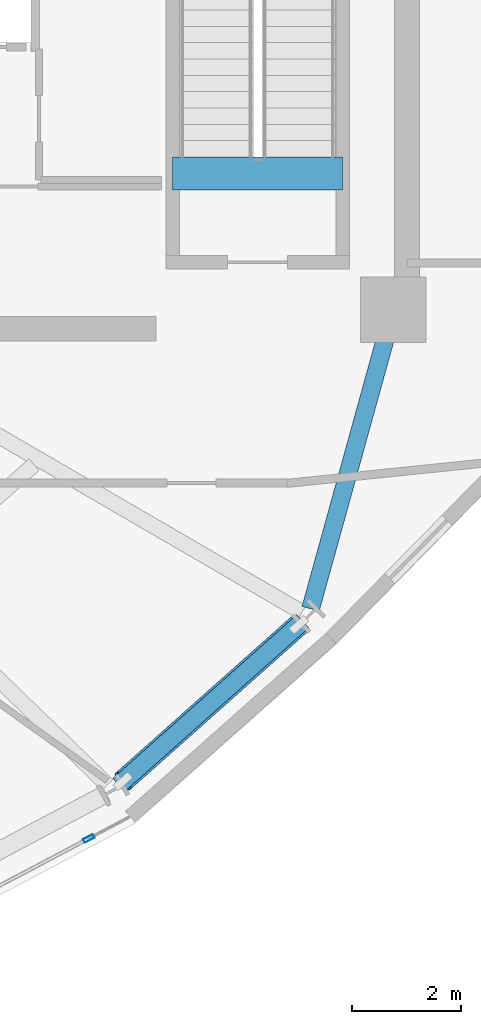
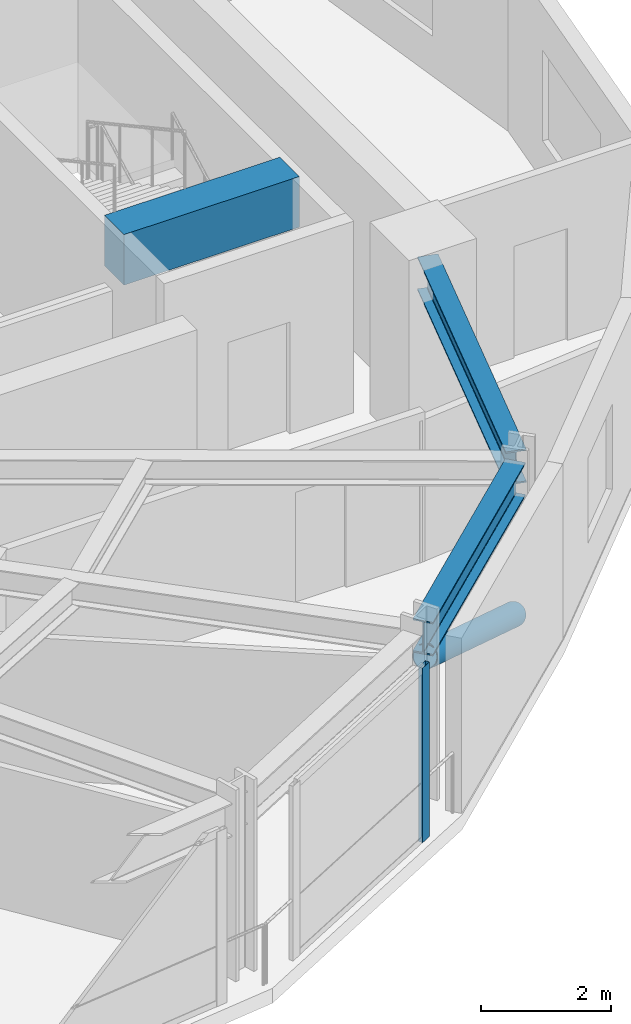
# One storey, part 6 of 19: 3 beams, 2 members, 1 element without a shape of its own.
"""IFC4 building model written with IfcOpenShell, lengths in metres."""

from ifc_helpers import new_model, si_unit, direction, frame, origin, origin_2d, place, context, subcontext, project, spatial, rectangle, hollow_rectangle, hollow_circle, i_section, extrude, material, layer, layer_set, material_profile, profile_set, type_object, element, aggregate, save


model = new_model("IFC4")

# Units and contexts
model_context = context("Model", 3, precision=1e-05, world=origin(), true_north=direction((0.0, 1.0)))
body_context = subcontext(model_context, "Body", "Model", "MODEL_VIEW")
ifc_project = project(units=[si_unit("LENGTHUNIT", "METRE"), si_unit("AREAUNIT", "SQUARE_METRE"), si_unit("VOLUMEUNIT", "CUBIC_METRE"), si_unit("PLANEANGLEUNIT", "RADIAN"), si_unit("MASSUNIT", "GRAM", prefix="KILO")], contexts=[model_context])

# Site, building, storey
site_placement = place(None, origin())
site = spatial("IfcSite", under=ifc_project, at=site_placement, CompositionType="ELEMENT")
building_placement = place(site_placement, origin())
building = spatial("IfcBuilding", under=site, at=building_placement, Name="Solvane Sanctuary Tower", CompositionType="ELEMENT")
storey_placement = place(building_placement, frame((0.0, 0.0, 249.60009765625)))
storey = spatial("IfcBuildingStorey", under=building, at=storey_placement, Name="L76", CompositionType="ELEMENT", Elevation=249.60009765625)

# Beams
ifc_material_1 = material(Name="Concrete C70/85", Category="concrete")
ifc_material_profile_1 = material_profile(ifc_material_1, rectangle(XDim=0.60009765625, YDim=0.949951171875, at=origin_2d()), Name="RC600X950")
ifc_profile_set_1 = profile_set([ifc_material_profile_1], Name="Concrete C70/85")
beam_type_1 = type_object("IfcBeamType", Name="Beam B-COUPLE RC600X950", PredefinedType="LINTEL", material=ifc_profile_set_1)
beam_1_placement = place(storey_placement, frame((44.64990234375, 19.399169921875, 3.125), z_axis=(1.0, 0.0, 0.0), x_axis=(0.0, 1.0, 0.0)))
element("IfcBeam", 1, at=beam_1_placement, inside=storey, type_object=beam_type_1, Name="L76 ST-2 Stair Floor Landing Trimmer", PredefinedType="LINTEL", context=body_context, shape_type="SweptSolid", body=[
    extrude(rectangle(XDim=0.60009765625, YDim=0.949951171875, at=origin_2d()), origin(), (0.0, 0.0, 1.0), 3.1201171875),
])
ifc_material_2 = material(Name="Steel ASTM A992 Grade 50", Category="steel")
ifc_material_profile_2 = material_profile(ifc_material_2, i_section(OverallWidth=0.327880859375, OverallDepth=0.6279296875, WebThickness=0.0166015625, FlangeThickness=0.027587890625, FilletRadius=0.01611328125, at=origin_2d()), Name="W24X146")
ifc_profile_set_2 = profile_set([ifc_material_profile_2], Name="Steel ASTM A992 Grade 50")
beam_type_2 = type_object("IfcBeamType", Name="Beam B-SPAND-Z3 W24X146", PredefinedType="SPANDREL", material=ifc_profile_set_2)
beam_2_placement = place(storey_placement, frame((43.65966796875, 8.17919921875, 3.00390625), z_axis=(0.747206834793, 0.664591563322, 0.0), x_axis=(-0.664591563322, 0.747206834793, 0.0)))
element("IfcBeam", 2, at=beam_2_placement, inside=storey, type_object=beam_type_2, Name="L76 Perimeter Spandrel Beam TC13-TC14", PredefinedType="SPANDREL", context=body_context, shape_type="SweptSolid", body=[
    extrude(i_section(OverallWidth=0.327880859375, OverallDepth=0.6279296875, WebThickness=0.0166015625, FlangeThickness=0.027587890625, FilletRadius=0.01611328125, at=origin_2d()), origin(), (0.0, 0.0, 1.0), 4.5244140625),
])
beam_3_placement = place(storey_placement, frame((47.18212890625, 11.4140625, 3.00390625), z_axis=(0.266650248701, 0.963793362121, 0.0), x_axis=(-0.963793362121, 0.266650248701, 0.0)))
element("IfcBeam", 3, at=beam_3_placement, inside=storey, type_object=beam_type_2, Name="L76 Perimeter Spandrel Beam TC14-CE2", PredefinedType="SPANDREL", context=body_context, shape_type="SweptSolid", body=[
    extrude(i_section(OverallWidth=0.327880859375, OverallDepth=0.6279296875, WebThickness=0.0166015625, FlangeThickness=0.027587890625, FilletRadius=0.01611328125, at=origin_2d()), origin(), (0.0, 0.0, 1.0), 5.412109375),
])

# Curtain wall, member
ifc_material_3 = material(Name="Anodised Aluminium 6063-T6", Category="aluminium")
ifc_layer = layer(ifc_material_3, 0.18994140625, Name="Anodised Aluminium 6063-T6")
ifc_layer_set = layer_set([ifc_layer], Name="Anodised Aluminium 6063-T6")
curtain_wall_type = type_object("IfcCurtainWallType", Name="Curtain Wall CW-OPER", PredefinedType="NOTDEFINED", material=ifc_layer_set)
curtain_wall_placement = place(storey_placement, origin())
curtain_wall = element("IfcCurtainWall", 4, at=curtain_wall_placement, inside=storey, type_object=curtain_wall_type, Name="L76 CW-OPER Facade Run 19", PredefinedType="NOTDEFINED")
ifc_material_profile_3 = material_profile(ifc_material_3, hollow_rectangle(XDim=0.074951171875, YDim=0.199951171875, WallThickness=0.00390625, at=origin_2d()), Name="ALU200X75X4")
ifc_profile_set_3 = profile_set([ifc_material_profile_3], Name="Anodised Aluminium 6063-T6")
member_type_1 = type_object("IfcMemberType", Name="Member M-CW-MUL-1 ALU200X75X4", PredefinedType="MULLION", material=ifc_profile_set_3)
member_1_placement = place(storey_placement, frame((43.112060546875, 7.199951171875, 0.0), z_axis=(0.0, 0.0, 1.0), x_axis=(-0.467523293544, 0.883980752049, 0.0)))
member_1 = element("IfcMember", 5, at=member_1_placement, type_object=member_type_1, Name="CW-OPER mullion 2", PredefinedType="MULLION", context=body_context, shape_type="SweptSolid", body=[
    extrude(hollow_rectangle(XDim=0.074951171875, YDim=0.199951171875, WallThickness=0.00390625, at=origin_2d()), origin(), (0.0, 0.0, 1.0), 3.27978515625),
])
aggregate(curtain_wall, [member_1])

# Member
ifc_material_profile_4 = material_profile(ifc_material_2, hollow_circle(Radius=0.202880859375, WallThickness=0.012451171875, at=origin_2d()), Name="CHS406X12.5")
ifc_profile_set_4 = profile_set([ifc_material_profile_4], Name="Steel ASTM A992 Grade 50")
member_type_2 = type_object("IfcMemberType", Name="Member M-TUBE-Z3 CHS406X12.5", PredefinedType="BRACE", material=ifc_profile_set_4)
member_2_placement = place(storey_placement, frame((46.964111328125, 11.118408203125, 0.49609375), z_axis=(-0.673397052397, -0.598966005648, 0.433331436549), x_axis=(0.664606066876, -0.747193934579, 0.0)))
element("IfcMember", 6, at=member_2_placement, inside=storey, type_object=member_type_2, Name="L76 Perimeter Braced-Tube Diagonal SE", PredefinedType="BRACE", context=body_context, shape_type="SweptSolid", body=[
    extrude(hollow_circle(Radius=0.202880859375, WallThickness=0.012451171875, at=origin_2d()), origin(), (0.0, 0.0, 1.0), 4.788818359375),
])

save(model, "model.ifc")
